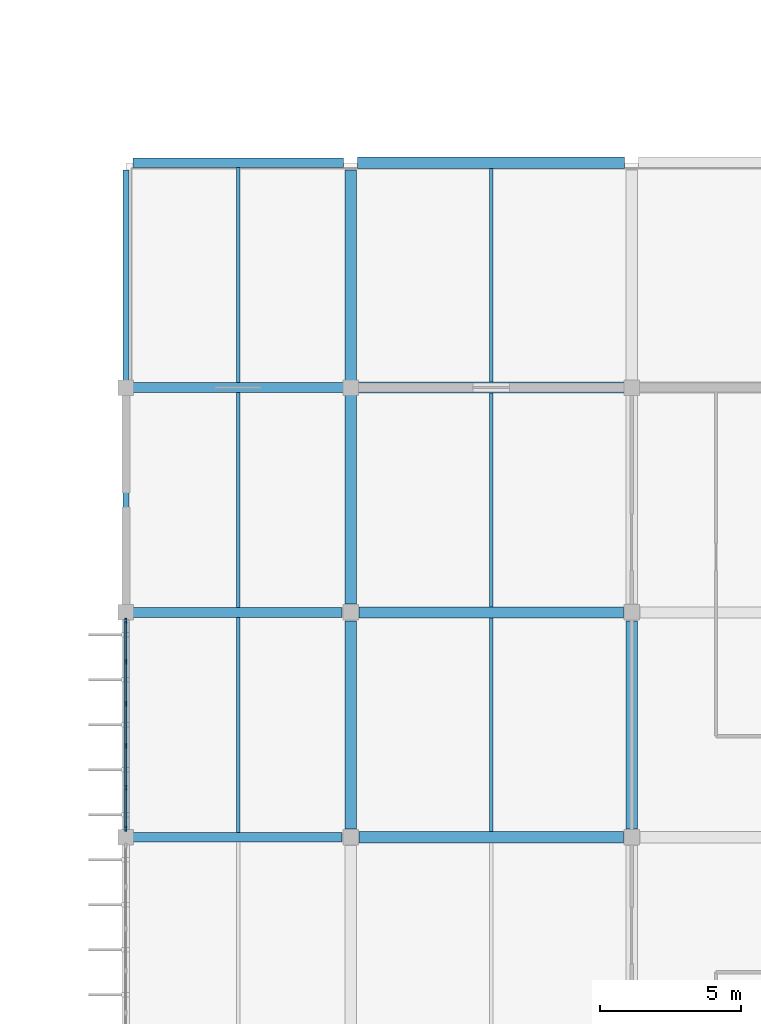
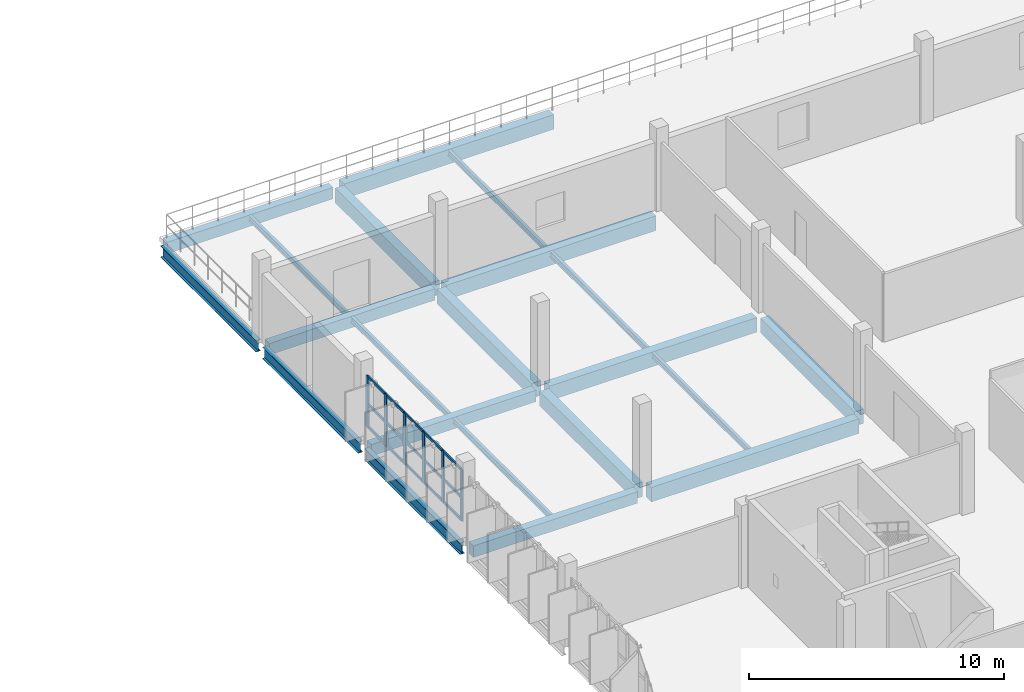
# One storey, part 18 of 38: 21 beams, 21 members, 1 element without a shape of its own.
"""IFC4 building model written with IfcOpenShell, lengths in metres."""

from ifc_helpers import new_model, si_unit, direction, frame, origin, origin_2d, place, context, subcontext, project, spatial, rectangle, i_section, extrude, material, layer, layer_set, material_profile, profile_set, type_object, element, aggregate, save


model = new_model("IFC4")

# Units and contexts
model_context = context("Model", 3, precision=1e-05, world=origin(), true_north=direction((0.0, 1.0)))
body_context = subcontext(model_context, "Body", "Model", "MODEL_VIEW")
ifc_project = project(units=[si_unit("LENGTHUNIT", "METRE"), si_unit("AREAUNIT", "SQUARE_METRE"), si_unit("VOLUMEUNIT", "CUBIC_METRE"), si_unit("PLANEANGLEUNIT", "RADIAN"), si_unit("MASSUNIT", "GRAM", prefix="KILO")], contexts=[model_context])

# Site, building, storey
site_placement = place(None, origin())
site = spatial("IfcSite", under=ifc_project, at=site_placement, CompositionType="ELEMENT")
building_placement = place(site_placement, origin())
building = spatial("IfcBuilding", under=site, at=building_placement, Name="Drelvana Railside Aquatics Centre", CompositionType="ELEMENT")
storey_placement = place(building_placement, frame((0.0, 0.0, 14.39990234375)))
storey = spatial("IfcBuildingStorey", under=building, at=storey_placement, Name="L03", CompositionType="ELEMENT", Elevation=14.39990234375)

# Curtain wall, members
ifc_material_1 = material(Name="Bronze-anodised aluminium curtain wall", Category="aluminium")
ifc_layer = layer(ifc_material_1, 0.175048828125, Name="Bronze-anodised aluminium curtain wall")
ifc_layer_set = layer_set([ifc_layer], Name="Bronze-anodised aluminium curtain wall")
curtain_wall_type = type_object("IfcCurtainWallType", Name="CW-Z6-WING", PredefinedType="NOTDEFINED", material=ifc_layer_set)
curtain_wall_placement = place(storey_placement, origin())
curtain_wall = element("IfcCurtainWall", 1, at=curtain_wall_placement, inside=storey, type_object=curtain_wall_type, Name="Curtain wall CW-06-162", PredefinedType="NOTDEFINED")
ifc_material_2 = material(Name="Bronze-anodised aluminium 6063-T6", Category="aluminium")
ifc_material_profile_1 = material_profile(ifc_material_2, rectangle(XDim=0.06494140625, YDim=0.175048828125, at=origin_2d()), Name="ALU-M 65x175")
ifc_profile_set_1 = profile_set([ifc_material_profile_1], Name="Bronze-anodised aluminium 6063-T6")
member_type_1 = type_object("IfcMemberType", Name="CW-Z6-WING-MUL", PredefinedType="MULLION", material=ifc_profile_set_1)
member_1_placement = place(storey_placement, frame((144.0, 72.301513671875, 0.794189453125), z_axis=(0.0, 0.0, 1.0), x_axis=(-1.0, 0.0, 0.0)))
member_1 = element("IfcMember", 2, at=member_1_placement, type_object=member_type_1, Name="CW-06 mullion 1", PredefinedType="MULLION", context=body_context, shape_type="SweptSolid", body=[
    extrude(rectangle(XDim=0.06494140625, YDim=0.175048828125, at=origin_2d()), origin(), (0.0, 0.0, 1.0), 2.455810546875),
])
member_2_placement = place(storey_placement, frame((144.0, 73.761474609375, 0.794189453125), z_axis=(0.0, 0.0, 1.0), x_axis=(-1.0, 0.0, 0.0)))
member_2 = element("IfcMember", 3, at=member_2_placement, type_object=member_type_1, Name="CW-06 mullion 2", PredefinedType="MULLION", context=body_context, shape_type="SweptSolid", body=[
    extrude(rectangle(XDim=0.06494140625, YDim=0.175048828125, at=origin_2d()), origin(), (0.0, 0.0, 1.0), 2.455810546875),
])
member_3_placement = place(storey_placement, frame((144.0, 75.25390625, 0.794189453125), z_axis=(0.0, 0.0, 1.0), x_axis=(-1.0, 0.0, 0.0)))
member_3 = element("IfcMember", 4, at=member_3_placement, type_object=member_type_1, Name="CW-06 mullion 3", PredefinedType="MULLION", context=body_context, shape_type="SweptSolid", body=[
    extrude(rectangle(XDim=0.06494140625, YDim=0.175048828125, at=origin_2d()), origin(), (0.0, 0.0, 1.0), 2.455810546875),
])
member_4_placement = place(storey_placement, frame((144.0, 76.74609375, 0.794189453125), z_axis=(0.0, 0.0, 1.0), x_axis=(-1.0, 0.0, 0.0)))
member_4 = element("IfcMember", 5, at=member_4_placement, type_object=member_type_1, Name="CW-06 mullion 4", PredefinedType="MULLION", context=body_context, shape_type="SweptSolid", body=[
    extrude(rectangle(XDim=0.06494140625, YDim=0.175048828125, at=origin_2d()), origin(), (0.0, 0.0, 1.0), 2.455810546875),
])
member_5_placement = place(storey_placement, frame((144.0, 78.238525390625, 0.794189453125), z_axis=(0.0, 0.0, 1.0), x_axis=(-1.0, 0.0, 0.0)))
member_5 = element("IfcMember", 6, at=member_5_placement, type_object=member_type_1, Name="CW-06 mullion 5", PredefinedType="MULLION", context=body_context, shape_type="SweptSolid", body=[
    extrude(rectangle(XDim=0.06494140625, YDim=0.175048828125, at=origin_2d()), origin(), (0.0, 0.0, 1.0), 2.455810546875),
])
member_6_placement = place(storey_placement, frame((144.0, 79.698486328125, 0.794189453125), z_axis=(0.0, 0.0, 1.0), x_axis=(-1.0, 0.0, 0.0)))
member_6 = element("IfcMember", 7, at=member_6_placement, type_object=member_type_1, Name="CW-06 mullion 6", PredefinedType="MULLION", context=body_context, shape_type="SweptSolid", body=[
    extrude(rectangle(XDim=0.06494140625, YDim=0.175048828125, at=origin_2d()), origin(), (0.0, 0.0, 1.0), 2.455810546875),
])
ifc_material_profile_2 = material_profile(ifc_material_2, rectangle(XDim=0.1201171875, YDim=0.06005859375, at=origin_2d()), Name="ALU-T 60x120")
ifc_profile_set_2 = profile_set([ifc_material_profile_2], Name="Bronze-anodised aluminium 6063-T6")
member_type_2 = type_object("IfcMemberType", Name="CW-Z6-WING-TRN", PredefinedType="USERDEFINED", material=ifc_profile_set_2)
member_7_placement = place(storey_placement, frame((144.0, 72.3291015625, 0.82421875), z_axis=(0.0, 1.0, 0.0), x_axis=(0.0, 0.0, 1.0)))
member_7 = element("IfcMember", 8, at=member_7_placement, type_object=member_type_2, Name="CW-06 transom 1.1", ObjectType="TRANSOM", PredefinedType="USERDEFINED", context=body_context, shape_type="SweptSolid", body=[
    extrude(rectangle(XDim=0.1201171875, YDim=0.06005859375, at=origin_2d()), origin(), (0.0, 0.0, 1.0), 1.40478515625),
])
member_8_placement = place(storey_placement, frame((144.0, 72.3291015625, 1.899169921875), z_axis=(0.0, 1.0, 0.0), x_axis=(0.0, 0.0, 1.0)))
member_8 = element("IfcMember", 9, at=member_8_placement, type_object=member_type_2, Name="CW-06 transom 1.2", ObjectType="TRANSOM", PredefinedType="USERDEFINED", context=body_context, shape_type="SweptSolid", body=[
    extrude(rectangle(XDim=0.1201171875, YDim=0.06005859375, at=origin_2d()), origin(), (0.0, 0.0, 1.0), 1.40478515625),
])
member_9_placement = place(storey_placement, frame((144.0, 72.3291015625, 3.22021484375), z_axis=(0.0, 1.0, 0.0), x_axis=(0.0, 0.0, 1.0)))
member_9 = element("IfcMember", 10, at=member_9_placement, type_object=member_type_2, Name="CW-06 transom 1.3", ObjectType="TRANSOM", PredefinedType="USERDEFINED", context=body_context, shape_type="SweptSolid", body=[
    extrude(rectangle(XDim=0.1201171875, YDim=0.06005859375, at=origin_2d()), origin(), (0.0, 0.0, 1.0), 1.40478515625),
])
member_10_placement = place(storey_placement, frame((144.0, 73.788818359375, 0.82421875), z_axis=(0.0, 1.0, 0.0), x_axis=(0.0, 0.0, 1.0)))
member_10 = element("IfcMember", 11, at=member_10_placement, type_object=member_type_2, Name="CW-06 transom 2.1", ObjectType="TRANSOM", PredefinedType="USERDEFINED", context=body_context, shape_type="SweptSolid", body=[
    extrude(rectangle(XDim=0.1201171875, YDim=0.06005859375, at=origin_2d()), origin(), (0.0, 0.0, 1.0), 1.4375),
])
member_11_placement = place(storey_placement, frame((144.0, 73.788818359375, 1.899169921875), z_axis=(0.0, 1.0, 0.0), x_axis=(0.0, 0.0, 1.0)))
member_11 = element("IfcMember", 12, at=member_11_placement, type_object=member_type_2, Name="CW-06 transom 2.2", ObjectType="TRANSOM", PredefinedType="USERDEFINED", context=body_context, shape_type="SweptSolid", body=[
    extrude(rectangle(XDim=0.1201171875, YDim=0.06005859375, at=origin_2d()), origin(), (0.0, 0.0, 1.0), 1.4375),
])
member_12_placement = place(storey_placement, frame((144.0, 73.788818359375, 3.22021484375), z_axis=(0.0, 1.0, 0.0), x_axis=(0.0, 0.0, 1.0)))
member_12 = element("IfcMember", 13, at=member_12_placement, type_object=member_type_2, Name="CW-06 transom 2.3", ObjectType="TRANSOM", PredefinedType="USERDEFINED", context=body_context, shape_type="SweptSolid", body=[
    extrude(rectangle(XDim=0.1201171875, YDim=0.06005859375, at=origin_2d()), origin(), (0.0, 0.0, 1.0), 1.4375),
])
member_13_placement = place(storey_placement, frame((144.0, 75.28125, 0.82421875), z_axis=(0.0, 1.0, 0.0), x_axis=(0.0, 0.0, 1.0)))
member_13 = element("IfcMember", 14, at=member_13_placement, type_object=member_type_2, Name="CW-06 transom 3.1", ObjectType="TRANSOM", PredefinedType="USERDEFINED", context=body_context, shape_type="SweptSolid", body=[
    extrude(rectangle(XDim=0.1201171875, YDim=0.06005859375, at=origin_2d()), origin(), (0.0, 0.0, 1.0), 1.4375),
])
member_14_placement = place(storey_placement, frame((144.0, 75.28125, 1.899169921875), z_axis=(0.0, 1.0, 0.0), x_axis=(0.0, 0.0, 1.0)))
member_14 = element("IfcMember", 15, at=member_14_placement, type_object=member_type_2, Name="CW-06 transom 3.2", ObjectType="TRANSOM", PredefinedType="USERDEFINED", context=body_context, shape_type="SweptSolid", body=[
    extrude(rectangle(XDim=0.1201171875, YDim=0.06005859375, at=origin_2d()), origin(), (0.0, 0.0, 1.0), 1.4375),
])
member_15_placement = place(storey_placement, frame((144.0, 75.28125, 3.22021484375), z_axis=(0.0, 1.0, 0.0), x_axis=(0.0, 0.0, 1.0)))
member_15 = element("IfcMember", 16, at=member_15_placement, type_object=member_type_2, Name="CW-06 transom 3.3", ObjectType="TRANSOM", PredefinedType="USERDEFINED", context=body_context, shape_type="SweptSolid", body=[
    extrude(rectangle(XDim=0.1201171875, YDim=0.06005859375, at=origin_2d()), origin(), (0.0, 0.0, 1.0), 1.4375),
])
member_16_placement = place(storey_placement, frame((144.0, 76.773681640625, 0.82421875), z_axis=(0.0, 1.0, 0.0), x_axis=(0.0, 0.0, 1.0)))
member_16 = element("IfcMember", 17, at=member_16_placement, type_object=member_type_2, Name="CW-06 transom 4.1", ObjectType="TRANSOM", PredefinedType="USERDEFINED", context=body_context, shape_type="SweptSolid", body=[
    extrude(rectangle(XDim=0.1201171875, YDim=0.06005859375, at=origin_2d()), origin(), (0.0, 0.0, 1.0), 1.4375),
])
member_17_placement = place(storey_placement, frame((144.0, 76.773681640625, 1.899169921875), z_axis=(0.0, 1.0, 0.0), x_axis=(0.0, 0.0, 1.0)))
member_17 = element("IfcMember", 18, at=member_17_placement, type_object=member_type_2, Name="CW-06 transom 4.2", ObjectType="TRANSOM", PredefinedType="USERDEFINED", context=body_context, shape_type="SweptSolid", body=[
    extrude(rectangle(XDim=0.1201171875, YDim=0.06005859375, at=origin_2d()), origin(), (0.0, 0.0, 1.0), 1.4375),
])
member_18_placement = place(storey_placement, frame((144.0, 76.773681640625, 3.22021484375), z_axis=(0.0, 1.0, 0.0), x_axis=(0.0, 0.0, 1.0)))
member_18 = element("IfcMember", 19, at=member_18_placement, type_object=member_type_2, Name="CW-06 transom 4.3", ObjectType="TRANSOM", PredefinedType="USERDEFINED", context=body_context, shape_type="SweptSolid", body=[
    extrude(rectangle(XDim=0.1201171875, YDim=0.06005859375, at=origin_2d()), origin(), (0.0, 0.0, 1.0), 1.4375),
])
member_19_placement = place(storey_placement, frame((144.0, 78.26611328125, 0.82421875), z_axis=(0.0, 1.0, 0.0), x_axis=(0.0, 0.0, 1.0)))
member_19 = element("IfcMember", 20, at=member_19_placement, type_object=member_type_2, Name="CW-06 transom 5.1", ObjectType="TRANSOM", PredefinedType="USERDEFINED", context=body_context, shape_type="SweptSolid", body=[
    extrude(rectangle(XDim=0.1201171875, YDim=0.06005859375, at=origin_2d()), origin(), (0.0, 0.0, 1.0), 1.40478515625),
])
member_20_placement = place(storey_placement, frame((144.0, 78.26611328125, 1.899169921875), z_axis=(0.0, 1.0, 0.0), x_axis=(0.0, 0.0, 1.0)))
member_20 = element("IfcMember", 21, at=member_20_placement, type_object=member_type_2, Name="CW-06 transom 5.2", ObjectType="TRANSOM", PredefinedType="USERDEFINED", context=body_context, shape_type="SweptSolid", body=[
    extrude(rectangle(XDim=0.1201171875, YDim=0.06005859375, at=origin_2d()), origin(), (0.0, 0.0, 1.0), 1.40478515625),
])
member_21_placement = place(storey_placement, frame((144.0, 78.26611328125, 3.22021484375), z_axis=(0.0, 1.0, 0.0), x_axis=(0.0, 0.0, 1.0)))
member_21 = element("IfcMember", 22, at=member_21_placement, type_object=member_type_2, Name="CW-06 transom 5.3", ObjectType="TRANSOM", PredefinedType="USERDEFINED", context=body_context, shape_type="SweptSolid", body=[
    extrude(rectangle(XDim=0.1201171875, YDim=0.06005859375, at=origin_2d()), origin(), (0.0, 0.0, 1.0), 1.40478515625),
])
aggregate(curtain_wall, [member_1, member_2, member_3, member_4, member_5, member_6, member_7, member_8, member_9, member_10, member_11, member_12, member_13, member_14, member_15, member_16, member_17, member_18, member_19, member_20, member_21])

# Beams
ifc_material_3 = material(Name="Concrete C40/50", Category="concrete")
ifc_material_profile_3 = material_profile(ifc_material_3, rectangle(XDim=0.35009765625, YDim=0.550048828125, at=origin_2d()), Name="RC 350x550")
ifc_profile_set_3 = profile_set([ifc_material_profile_3], Name="Concrete C40/50")
beam_type_1 = type_object("IfcBeamType", Name="STR-BM-BM-01-RC-350x550", PredefinedType="BEAM", material=ifc_profile_set_3)
for number, where, z_axis, x_axis, name in (
    (23, (144.25, 72.0, -0.514892578125), (1.0, 0.0, 0.0), (0.0, 1.0, 0.0), "Girder BM-01 (L03)"),
    (24, (144.25, 80.0, -0.514892578125), (1.0, 0.0, 0.0), (0.0, 1.0, 0.0), "Girder BM-01 (L03)"),
):
    element("IfcBeam", number, at=place(storey_placement, frame(where, z_axis=z_axis, x_axis=x_axis)), inside=storey, type_object=beam_type_1, Name=name, PredefinedType="BEAM", context=body_context, shape_type="SweptSolid", body=[
        extrude(rectangle(XDim=0.35009765625, YDim=0.550048828125, at=origin_2d()), origin(), (0.0, 0.0, 1.0), 7.449951171875),
    ])
for number, where, z_axis, x_axis, name in (
    (25, (144.25, 88.0, -0.514892578125), (1.0, 0.0, 0.0), (0.0, 1.0, 0.0), "Girder BM-01 (L03)"),
    (26, (144.25, 96.0, -0.514892578125), (1.0, 0.0, 0.0), (0.0, 1.0, 0.0), "Girder BM-01 (L03)"),
):
    element("IfcBeam", number, at=place(storey_placement, frame(where, z_axis=z_axis, x_axis=x_axis)), inside=storey, type_object=beam_type_1, Name=name, PredefinedType="BEAM", context=body_context, shape_type="SweptSolid", body=[
        extrude(rectangle(XDim=0.35009765625, YDim=0.550048828125, at=origin_2d()), origin(), (0.0, 0.0, 1.0), 7.5),
    ])
ifc_material_profile_4 = material_profile(ifc_material_3, rectangle(XDim=0.39990234375, YDim=0.699951171875, at=origin_2d()), Name="RC 400x700")
ifc_profile_set_4 = profile_set([ifc_material_profile_4], Name="Concrete C40/50")
beam_type_2 = type_object("IfcBeamType", Name="STR-BM-BM-03-RC-400x700", PredefinedType="BEAM", material=ifc_profile_set_4)
for number, where, z_axis, x_axis, name in (
    (27, (152.300048828125, 72.0, -0.58984375), (1.0, 0.0, 0.0), (0.0, 1.0, 0.0), "Girder BM-03 (L03)"),
    (28, (152.300048828125, 80.0, -0.58984375), (1.0, 0.0, 0.0), (0.0, 1.0, 0.0), "Girder BM-03 (L03)"),
):
    element("IfcBeam", number, at=place(storey_placement, frame(where, z_axis=z_axis, x_axis=x_axis)), inside=storey, type_object=beam_type_2, Name=name, PredefinedType="BEAM", context=body_context, shape_type="SweptSolid", body=[
        extrude(rectangle(XDim=0.39990234375, YDim=0.699951171875, at=origin_2d()), origin(), (0.0, 0.0, 1.0), 9.39990234375),
    ])
for number, where, z_axis, x_axis, name in (
    (29, (152.25, 88.0, -0.58984375), (1.0, 0.0, 0.0), (0.0, 1.0, 0.0), "Girder BM-03 (L03)"),
    (30, (152.25, 96.0, -0.58984375), (1.0, 0.0, 0.0), (0.0, 1.0, 0.0), "Girder BM-03 (L03)"),
):
    element("IfcBeam", number, at=place(storey_placement, frame(where, z_axis=z_axis, x_axis=x_axis)), inside=storey, type_object=beam_type_2, Name=name, PredefinedType="BEAM", context=body_context, shape_type="SweptSolid", body=[
        extrude(rectangle(XDim=0.39990234375, YDim=0.699951171875, at=origin_2d()), origin(), (0.0, 0.0, 1.0), 9.5),
    ])
beam_1_placement = place(storey_placement, frame((152.0, 72.300048828125, -0.58984375), z_axis=(0.0, 1.0, 0.0), x_axis=(-1.0, 0.0, 0.0)))
element("IfcBeam", 31, at=beam_1_placement, inside=storey, type_object=beam_type_2, Name="Girder BM-03 (L03)", PredefinedType="BEAM", context=body_context, shape_type="SweptSolid", body=[
    extrude(rectangle(XDim=0.39990234375, YDim=0.699951171875, at=origin_2d()), origin(), (0.0, 0.0, 1.0), 7.39990234375),
])
beam_2_placement = place(storey_placement, frame((152.0, 80.300048828125, -0.58984375), z_axis=(0.0, 1.0, 0.0), x_axis=(-1.0, 0.0, 0.0)))
element("IfcBeam", 32, at=beam_2_placement, inside=storey, type_object=beam_type_2, Name="Girder BM-03 (L03)", PredefinedType="BEAM", context=body_context, shape_type="SweptSolid", body=[
    extrude(rectangle(XDim=0.39990234375, YDim=0.699951171875, at=origin_2d()), origin(), (0.0, 0.0, 1.0), 7.449951171875),
])
beam_3_placement = place(storey_placement, frame((152.0, 88.25, -0.58984375), z_axis=(0.0, 1.0, 0.0), x_axis=(-1.0, 0.0, 0.0)))
element("IfcBeam", 33, at=beam_3_placement, inside=storey, type_object=beam_type_2, Name="Girder BM-03 (L03)", PredefinedType="BEAM", context=body_context, shape_type="SweptSolid", body=[
    extrude(rectangle(XDim=0.39990234375, YDim=0.699951171875, at=origin_2d()), origin(), (0.0, 0.0, 1.0), 7.5),
])
beam_4_placement = place(storey_placement, frame((162.0, 72.300048828125, -0.58984375), z_axis=(0.0, 1.0, 0.0), x_axis=(-1.0, 0.0, 0.0)))
element("IfcBeam", 34, at=beam_4_placement, inside=storey, type_object=beam_type_2, Name="Girder BM-03 (L03)", PredefinedType="BEAM", context=body_context, shape_type="SweptSolid", body=[
    extrude(rectangle(XDim=0.39990234375, YDim=0.699951171875, at=origin_2d()), origin(), (0.0, 0.0, 1.0), 7.39990234375),
])
ifc_material_4 = material(Name="Structural steel S355", Category="steel")
ifc_material_profile_5 = material_profile(ifc_material_4, i_section(OverallWidth=0.2099609375, OverallDepth=0.550048828125, WebThickness=0.010986328125, FlangeThickness=0.01708984375, at=origin_2d()), Name="IPE 550")
ifc_profile_set_5 = profile_set([ifc_material_profile_5], Name="Structural steel S355")
beam_type_3 = type_object("IfcBeamType", Name="STR-SBM-SB-04-IPE-550", PredefinedType="SPANDREL", material=ifc_profile_set_5)
for number, where, z_axis, x_axis, name in (
    (35, (144.0, 72.25, -0.514892578125), (0.0, 1.0, 0.0), (-1.0, 0.0, 0.0), "Girder SB-04 (L03)"),
    (36, (144.0, 80.25, -0.514892578125), (0.0, 1.0, 0.0), (-1.0, 0.0, 0.0), "Girder SB-04 (L03)"),
    (37, (144.0, 88.25, -0.514892578125), (0.0, 1.0, 0.0), (-1.0, 0.0, 0.0), "Girder SB-04 (L03)"),
):
    element("IfcBeam", number, at=place(storey_placement, frame(where, z_axis=z_axis, x_axis=x_axis)), inside=storey, type_object=beam_type_3, Name=name, PredefinedType="SPANDREL", context=body_context, shape_type="SweptSolid", body=[
        extrude(i_section(OverallWidth=0.2099609375, OverallDepth=0.550048828125, WebThickness=0.010986328125, FlangeThickness=0.01708984375, at=origin_2d()), origin(), (0.0, 0.0, 1.0), 7.5),
    ])
ifc_material_profile_6 = material_profile(ifc_material_4, i_section(OverallWidth=0.135009765625, OverallDepth=0.27001953125, WebThickness=0.006591796875, FlangeThickness=0.01025390625, at=origin_2d()), Name="IPE 270")
ifc_profile_set_6 = profile_set([ifc_material_profile_6], Name="Structural steel S355")
beam_type_4 = type_object("IfcBeamType", Name="STR-SBM-SJ-02-IPE-270", PredefinedType="JOIST", material=ifc_profile_set_6)
for number, where, z_axis, x_axis, name in (
    (38, (148.0, 72.175048828125, -0.375), (0.0, 1.0, 0.0), (-1.0, 0.0, 0.0), "Secondary floor joist SJ-02 (L03)"),
    (39, (148.0, 80.175048828125, -0.375), (0.0, 1.0, 0.0), (-1.0, 0.0, 0.0), "Secondary floor joist SJ-02 (L03)"),
    (40, (148.0, 88.175048828125, -0.375), (0.0, 1.0, 0.0), (-1.0, 0.0, 0.0), "Secondary floor joist SJ-02 (L03)"),
):
    element("IfcBeam", number, at=place(storey_placement, frame(where, z_axis=z_axis, x_axis=x_axis)), inside=storey, type_object=beam_type_4, Name=name, PredefinedType="JOIST", context=body_context, shape_type="SweptSolid", body=[
        extrude(i_section(OverallWidth=0.135009765625, OverallDepth=0.27001953125, WebThickness=0.006591796875, FlangeThickness=0.01025390625, at=origin_2d()), origin(), (0.0, 0.0, 1.0), 7.64990234375),
    ])
for number, where, z_axis, x_axis, name in (
    (41, (157.0, 72.199951171875, -0.375), (0.0, 1.0, 0.0), (-1.0, 0.0, 0.0), "Secondary floor joist SJ-02 (L03)"),
    (42, (157.0, 80.199951171875, -0.375), (0.0, 1.0, 0.0), (-1.0, 0.0, 0.0), "Secondary floor joist SJ-02 (L03)"),
    (43, (157.0, 88.199951171875, -0.375), (0.0, 1.0, 0.0), (-1.0, 0.0, 0.0), "Secondary floor joist SJ-02 (L03)"),
):
    element("IfcBeam", number, at=place(storey_placement, frame(where, z_axis=z_axis, x_axis=x_axis)), inside=storey, type_object=beam_type_4, Name=name, PredefinedType="JOIST", context=body_context, shape_type="SweptSolid", body=[
        extrude(i_section(OverallWidth=0.135009765625, OverallDepth=0.27001953125, WebThickness=0.006591796875, FlangeThickness=0.01025390625, at=origin_2d()), origin(), (0.0, 0.0, 1.0), 7.60009765625),
    ])

save(model, "model.ifc")
